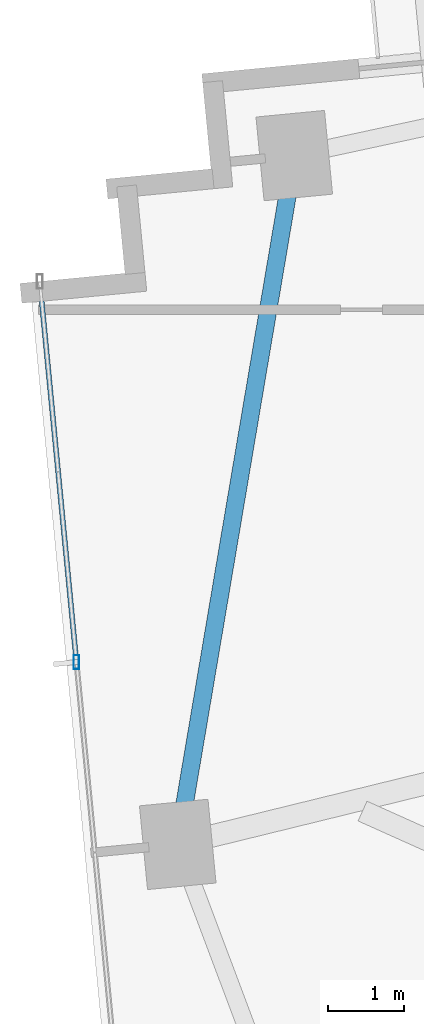
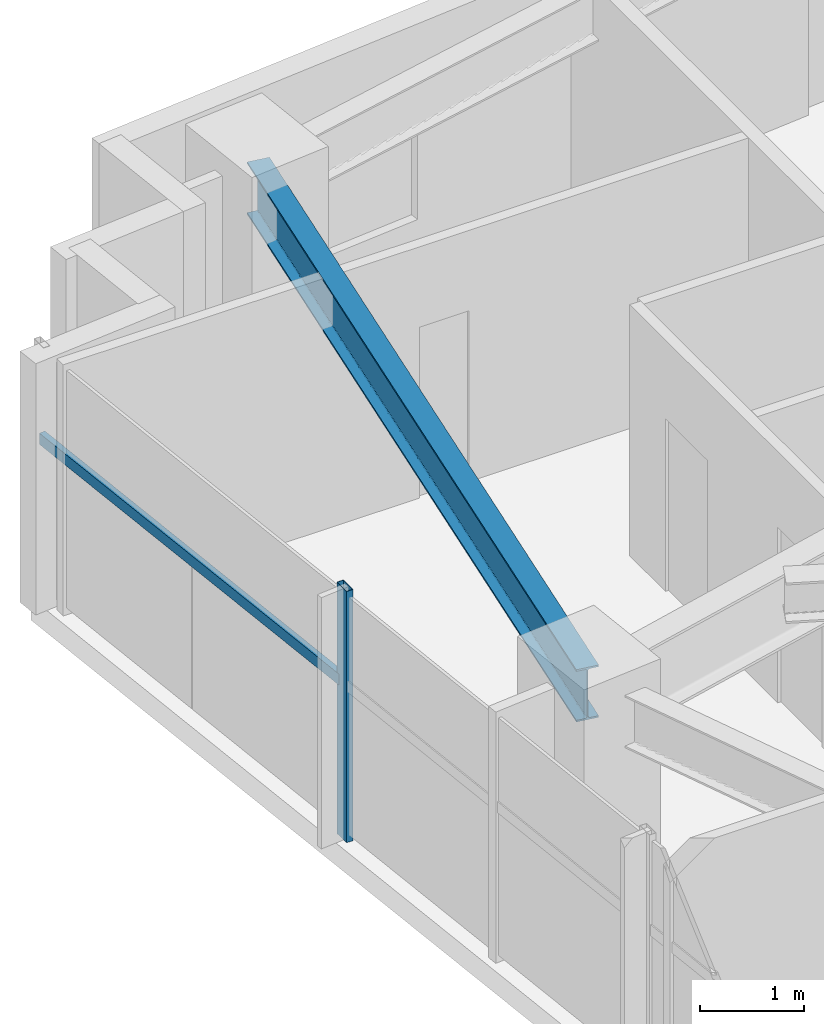
# One storey, part 4 of 27: 2 members, 1 beam, 1 element without a shape of its own.
"""IFC4 building model written with IfcOpenShell, lengths in metres."""

from ifc_helpers import new_model, si_unit, direction, frame, origin, origin_2d, place, context, subcontext, project, spatial, hollow_rectangle, i_section, extrude, source, transform, mapped, material, material_profile, profile_set, type_object, type_shapes, element, aggregate, save


model = new_model("IFC4")

# Units and contexts
model_context = context("Model", 3, precision=1e-05, world=origin(), true_north=direction((0.0, 1.0)))
body_context = subcontext(model_context, "Body", "Model", "MODEL_VIEW")
ifc_project = project(units=[si_unit("LENGTHUNIT", "METRE"), si_unit("AREAUNIT", "SQUARE_METRE"), si_unit("VOLUMEUNIT", "CUBIC_METRE"), si_unit("PLANEANGLEUNIT", "RADIAN"), si_unit("MASSUNIT", "GRAM", prefix="KILO")], contexts=[model_context])

# Site, building, storey
site_placement = place(None, origin())
site = spatial("IfcSite", under=ifc_project, at=site_placement, CompositionType="ELEMENT")
building_placement = place(site_placement, origin())
building = spatial("IfcBuilding", under=site, at=building_placement, Name="Astriad Promenade Condominiums", CompositionType="ELEMENT")
storey_placement = place(building_placement, frame((0.0, 0.0, 93.800048828125)))
storey = spatial("IfcBuildingStorey", under=building, at=storey_placement, Name="L26", CompositionType="ELEMENT", Elevation=93.800048828125)

# Beam
ifc_material_1 = material(Name="Steel ASTM A992 Grade 50", Category="steel")
ifc_material_profile_1 = material_profile(ifc_material_1, i_section(OverallWidth=0.22900390625, OverallDepth=0.612060546875, WebThickness=0.011962890625, FlangeThickness=0.01953125, FilletRadius=0.017822265625, at=origin_2d()), Name="W24X84")
ifc_profile_set_1 = profile_set([ifc_material_profile_1], Name="Steel ASTM A992 Grade 50")
beam_type = type_object("IfcBeamType", Name="STEEL SPANDREL BEAM W24X84", PredefinedType="SPANDREL", material=ifc_profile_set_1)
shared_shape_1 = source(origin(), body_context, "Body", "SweptSolid", [
    extrude(i_section(OverallWidth=0.22900390625, OverallDepth=0.612060546875, WebThickness=0.011962890625, FlangeThickness=0.01953125, FilletRadius=0.017822265625, at=origin_2d()), origin(), (0.0, 0.0, 1.0), 9.055419921875),
])
type_shapes(beam_type, [shared_shape_1])
beam_placement = place(storey_placement, frame((12.2685546875, 22.52880859375, 2.6337890625), z_axis=(-0.166776851291, -0.98599466625, 0.0), x_axis=(0.98599466625, -0.166776851291, 0.0)))
element("IfcBeam", 1, at=beam_placement, inside=storey, type_object=beam_type, Name="Perimeter Spandrel Beam SP-W2-L26", PredefinedType="SPANDREL", context=body_context, shape_type="MappedRepresentation", body=[
    mapped(shared_shape_1, transform((0.0, 0.0, 0.0), scale=1.0)),
])

# Curtain wall, members
ifc_material_2 = material(Name="Anodised aluminium Black Dark Glass Unitised", Category="aluminium")
curtain_wall_type = type_object("IfcCurtainWallType", Name="CW-B2-DARK", PredefinedType="USERDEFINED", material=ifc_material_2)
curtain_wall_placement = place(storey_placement, origin())
curtain_wall = element("IfcCurtainWall", 2, at=curtain_wall_placement, inside=storey, type_object=curtain_wall_type, Name="CW-L26-W", ObjectType="UNITISED_CURTAIN_WALL", PredefinedType="USERDEFINED")
ifc_material_3 = material(Name="Anodised aluminium 6063-T6 Black", Category="aluminium")
ifc_material_profile_2 = material_profile(ifc_material_3, hollow_rectangle(XDim=0.074951171875, YDim=0.18505859375, WallThickness=0.00439453125, at=origin_2d()), Name="ALU-MUL-75X185")
ifc_profile_set_2 = profile_set([ifc_material_profile_2], Name="Anodised aluminium 6063-T6 Black")
member_type_1 = type_object("IfcMemberType", Name="MUL-ALU-MUL-75X185", PredefinedType="MULLION", material=ifc_profile_set_2)
shared_shape_2 = source(origin(), body_context, "Body", "SweptSolid", [
    extrude(hollow_rectangle(XDim=0.074951171875, YDim=0.18505859375, WallThickness=0.00439453125, at=origin_2d()), origin(), (0.0, 0.0, 1.0), 2.93994140625),
])
type_shapes(member_type_1, [shared_shape_2])
member_1_placement = place(storey_placement, frame((9.427001953125, 15.94482421875, 0.0), z_axis=(0.0, 0.0, 1.0), x_axis=(1.0, 0.0, 0.0)))
member_1 = element("IfcMember", 3, at=member_1_placement, type_object=member_type_1, Name="CW-L26-W-MUL-02", PredefinedType="MULLION", context=body_context, shape_type="MappedRepresentation", body=[
    mapped(shared_shape_2, transform((0.0, 0.0, 0.0), scale=1.0)),
])
ifc_material_profile_3 = material_profile(ifc_material_3, hollow_rectangle(XDim=0.06494140625, YDim=0.1298828125, WallThickness=0.00390625, at=origin_2d()), Name="ALU-TRN-65X130")
ifc_profile_set_3 = profile_set([ifc_material_profile_3], Name="Anodised aluminium 6063-T6 Black")
member_type_2 = type_object("IfcMemberType", Name="TRN-ALU-TRN-65X130", PredefinedType="USERDEFINED", material=ifc_profile_set_3)
shared_shape_3 = source(origin(), body_context, "Body", "SweptSolid", [
    extrude(hollow_rectangle(XDim=0.06494140625, YDim=0.1298828125, WallThickness=0.00390625, at=origin_2d()), origin(), (0.0, 0.0, 1.0), 5.0),
])
type_shapes(member_type_2, [shared_shape_3])
member_2_placement = place(storey_placement, frame((9.427001953125, 15.94482421875, 1.82275390625), z_axis=(-0.095848242264, 0.995395958629, 0.0), x_axis=(-0.995395958629, -0.095848242264, 0.0)))
member_2 = element("IfcMember", 4, at=member_2_placement, type_object=member_type_2, Name="CW-L26-W-TRN-02-0", ObjectType="TRANSOM", PredefinedType="USERDEFINED", context=body_context, shape_type="MappedRepresentation", body=[
    mapped(shared_shape_3, transform((0.0, 0.0, 0.0), scale=1.0)),
])
aggregate(curtain_wall, [member_1, member_2])

save(model, "model.ifc")
